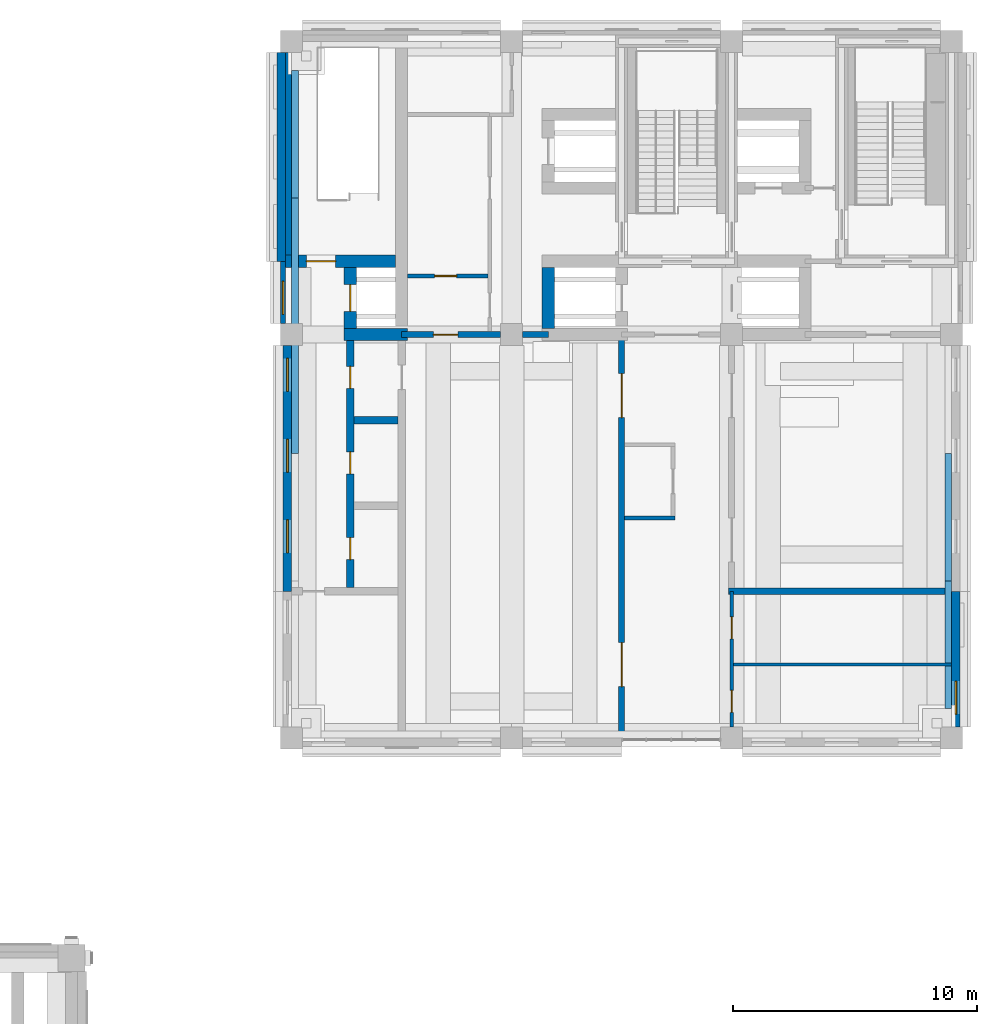
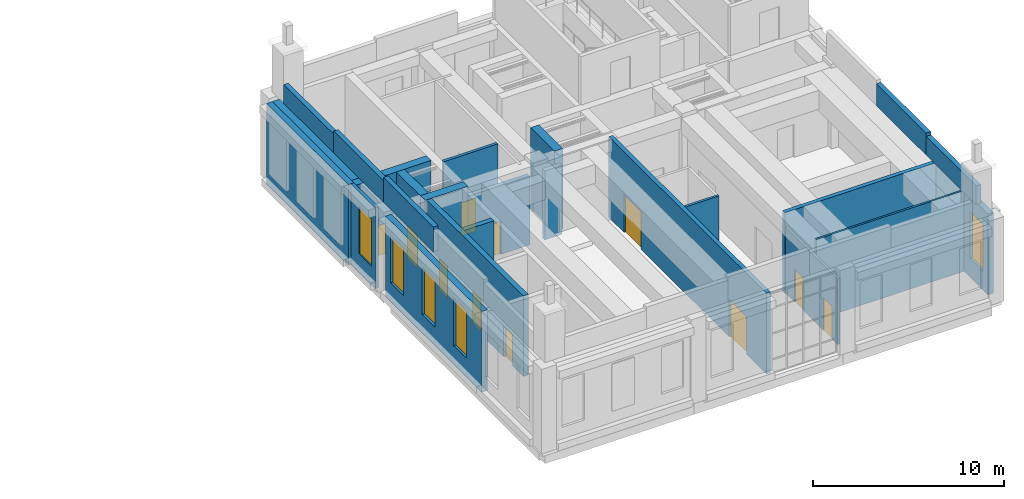
# One storey, part 15 of 22: 24 walls, 11 doors, 5 windows, 16 openings.
"""IFC4 building model written with IfcOpenShell, lengths in metres."""

from ifc_helpers import new_model, si_unit, direction, frame, frame_2d, origin, place, context, subcontext, project, spatial, rectangle, extrude, material, layer, layer_set, type_object, element, fill, save


model = new_model("IFC4")

# Units and contexts
model_context = context("Model", 3, precision=1e-05, world=origin(), true_north=direction((0.0, 1.0)))
body_context = subcontext(model_context, "Body", "Model", "MODEL_VIEW")
ifc_project = project(units=[si_unit("LENGTHUNIT", "METRE"), si_unit("AREAUNIT", "SQUARE_METRE"), si_unit("VOLUMEUNIT", "CUBIC_METRE"), si_unit("PLANEANGLEUNIT", "RADIAN"), si_unit("MASSUNIT", "GRAM", prefix="KILO")], contexts=[model_context])

# Site, building, storey
site_placement = place(None, origin())
site = spatial("IfcSite", under=ifc_project, at=site_placement, CompositionType="ELEMENT")
building_placement = place(site_placement, origin())
building = spatial("IfcBuilding", under=site, at=building_placement, Name="Aurelan Courthouse", CompositionType="ELEMENT")
storey_placement = place(building_placement, frame((0.0, 0.0, 39.0)))
storey = spatial("IfcBuildingStorey", under=building, at=storey_placement, Name="L07", CompositionType="ELEMENT", Elevation=39.0)

# Walls
ifc_material_1 = material(Name="Limestone cladding", Category="masonry")
ifc_layer_1 = layer(ifc_material_1, 0.280029296875)
ifc_layer_set_1 = layer_set([ifc_layer_1], Name="Limestone cladding")
wall_type_1 = type_object("IfcWallType", Name="CR2 crown parapet 280 x 1200", PredefinedType="PARAPET", material=ifc_layer_set_1)
for number, where, z_axis, x_axis, name in (
    (1, (36.139892578125, 59.580078125, 5.39990234375), (0.0, 0.0, 1.0), (0.0, 1.0, 0.0), "Crown parapet CR2-PA15"),
    (2, (62.860107421875, 38.699951171875, 5.39990234375), (0.0, 0.0, 1.0), (0.0, 1.0, 0.0), "Crown parapet CR2-PA16"),
):
    element("IfcWall", number, at=place(storey_placement, frame(where, z_axis=z_axis, x_axis=x_axis)), inside=storey, type_object=wall_type_1, Name=name, PredefinedType="PARAPET", context=body_context, shape_type="SweptSolid", body=[
        extrude(rectangle(XDim=5.219970703125, YDim=0.280029296875, at=frame_2d((2.60986328125, 0.0))), origin(), (0.0, 0.0, 1.0), 1.2001953125),
    ])
ifc_layer_2 = layer(ifc_material_1, 0.280029296875)
ifc_layer_set_2 = layer_set([ifc_layer_2], Name="Limestone cladding")
wall_type_2 = type_object("IfcWallType", Name="CR2 crown parapet 280 x 1400", PredefinedType="PARAPET", material=ifc_layer_set_2)
for number, where, z_axis, x_axis, name in (
    (3, (36.139892578125, 54.360107421875, 5.39990234375), (0.0, 0.0, 1.0), (0.0, 1.0, 0.0), "Crown parapet CR2-PA14"),
    (4, (62.860107421875, 43.919921875, 5.39990234375), (0.0, 0.0, 1.0), (0.0, 1.0, 0.0), "Crown parapet CR2-PA17"),
):
    element("IfcWall", number, at=place(storey_placement, frame(where, z_axis=z_axis, x_axis=x_axis)), inside=storey, type_object=wall_type_2, Name=name, PredefinedType="PARAPET", context=body_context, shape_type="SweptSolid", body=[
        extrude(rectangle(XDim=5.219970703125, YDim=0.280029296875, at=frame_2d((2.60986328125, 0.0))), origin(), (0.0, 0.0, 1.0), 1.400146484375),
    ])
ifc_layer_3 = layer(ifc_material_1, 0.280029296875)
ifc_layer_set_3 = layer_set([ifc_layer_3], Name="Limestone cladding")
wall_type_3 = type_object("IfcWallType", Name="CR2 crown parapet 280 x 1600", PredefinedType="PARAPET", material=ifc_layer_set_3)
wall_1_placement = place(storey_placement, frame((36.139892578125, 49.139892578125, 5.39990234375), z_axis=(0.0, 0.0, 1.0), x_axis=(0.0, 1.0, 0.0)))
element("IfcWall", 5, at=wall_1_placement, inside=storey, type_object=wall_type_3, Name="Crown parapet CR2-PA13", PredefinedType="PARAPET", context=body_context, shape_type="SweptSolid", body=[
    extrude(rectangle(XDim=5.22021484375, YDim=0.280029296875, at=frame_2d((2.610107421875, 0.0))), origin(), (0.0, 0.0, 1.0), 1.60009765625),
])

# Wall, opening, door
ifc_material_2 = material(Name="Gypsum board on metal studs")
ifc_layer_4 = layer(ifc_material_2, 0.175048828125)
ifc_layer_set_4 = layer_set([ifc_layer_4], Name="Gypsum board on metal studs")
wall_type_4 = type_object("IfcWallType", Name="Chambers acoustic partition 175 NOT RATED", PredefinedType="PARTITIONING", material=ifc_layer_set_4)
wall_2_placement = place(storey_placement, frame((40.75, 56.39990234375, 0.0), z_axis=(0.0, 0.0, 1.0), x_axis=(1.0, 0.0, 0.0)))
wall_2 = element("IfcWall", 6, at=wall_2_placement, inside=storey, type_object=wall_type_4, Name="Chambers acoustic partition L07-023", PredefinedType="PARTITIONING", context=body_context, shape_type="SweptSolid", body=[
    extrude(rectangle(XDim=3.27490234375, YDim=0.175048828125, at=frame_2d((1.637451171875, 0.0))), origin(), (0.0, 0.0, 1.0), 5.14990234375),
])
opening_1_placement = place(wall_2_placement, frame((2.0, 0.0, 0.0), z_axis=(0.0, 0.0, 1.0), x_axis=(-1.0, 0.0, 0.0)))
opening_1 = element("IfcOpeningElement", 7, at=opening_1_placement, cuts=wall_2, Name="Opening D-L07-027", PredefinedType="OPENING", context=body_context, shape_type="SweptSolid", body=[
    extrude(rectangle(XDim=0.89990234375, YDim=2.10009765625, at=frame_2d((0.449951171875, 1.050048828125))), frame((0.0, 0.097412109375, 0.0), z_axis=(0.0, -1.0, 0.0), x_axis=(1.0, 0.0, 0.0)), (0.0, 0.0, 1.0), 0.195068359375),
])
ifc_material_3 = material(Name="Timber", Category="wood")
door_type_1 = type_object("IfcDoorType", Name="Single door 900 x 2100 NOT RATED", OperationType="SINGLE_SWING_LEFT", PredefinedType="DOOR", material=ifc_material_3)
door_1_placement = place(opening_1_placement, origin())
door_1 = element("IfcDoor", 8, at=door_1_placement, inside=storey, type_object=door_type_1, Name="Single door D-L07-027", OperationType="SINGLE_SWING_LEFT", OverallHeight=2.10009765625, OverallWidth=0.89990234375, PredefinedType="DOOR", context=body_context, shape_type="SweptSolid", body=[
    extrude(rectangle(XDim=0.89990234375, YDim=2.10009765625, at=frame_2d((0.449951171875, 1.050048828125))), frame((0.0, 0.02490234375, 0.0), z_axis=(0.0, -1.0, 0.0), x_axis=(1.0, 0.0, 0.0)), (0.0, 0.0, 1.0), 0.050048828125),
])
fill(opening_1, door_1)

# Wall
ifc_layer_5 = layer(ifc_material_2, 0.14990234375)
ifc_layer_set_5 = layer_set([ifc_layer_5], Name="Gypsum board on metal studs")
wall_type_5 = type_object("IfcWallType", Name="Corridor partition 150 EI 60", PredefinedType="PARTITIONING", material=ifc_layer_set_5)
wall_3_placement = place(storey_placement, frame((49.625, 46.5, 0.0), z_axis=(0.0, 0.0, 1.0), x_axis=(1.0, 0.0, 0.0)))
element("IfcWall", 9, at=wall_3_placement, inside=storey, type_object=wall_type_5, Name="Corridor partition L07-015", PredefinedType="PARTITIONING", context=body_context, shape_type="SweptSolid", body=[
    extrude(rectangle(XDim=2.050048828125, YDim=0.14990234375, at=frame_2d((1.02490234375, 0.0))), origin(), (0.0, 0.0, 1.0), 5.14990234375),
])

# Wall, openings, doors
wall_4_placement = place(storey_placement, frame((54.0, 37.949951171875, 0.0), z_axis=(0.0, 0.0, 1.0), x_axis=(0.0, 1.0, 0.0)))
wall_4 = element("IfcWall", 10, at=wall_4_placement, inside=storey, type_object=wall_type_5, Name="Corridor partition L07-042", PredefinedType="PARTITIONING", context=body_context, shape_type="SweptSolid", body=[
    extrude(rectangle(XDim=5.550048828125, YDim=0.14990234375, at=frame_2d((2.77490234375, 0.0))), origin(), (0.0, 0.0, 1.0), 4.199951171875),
])
opening_2_placement = place(wall_4_placement, frame((4.5, 0.0, 0.0), z_axis=(0.0, 0.0, 1.0), x_axis=(-1.0, 0.0, 0.0)))
opening_2 = element("IfcOpeningElement", 11, at=opening_2_placement, cuts=wall_4, Name="Opening D-L07-021", PredefinedType="OPENING", context=body_context, shape_type="SweptSolid", body=[
    extrude(rectangle(XDim=0.89990234375, YDim=2.10009765625, at=frame_2d((0.449951171875, 1.050048828125))), frame((0.0, 0.0849609375, 0.0), z_axis=(0.0, -1.0, 0.0), x_axis=(1.0, 0.0, 0.0)), (0.0, 0.0, 1.0), 0.169921875),
])
opening_3_placement = place(wall_4_placement, frame((1.5, 0.0, 0.0), z_axis=(0.0, 0.0, 1.0), x_axis=(-1.0, 0.0, 0.0)))
opening_3 = element("IfcOpeningElement", 12, at=opening_3_placement, cuts=wall_4, Name="Opening D-L07-022", PredefinedType="OPENING", context=body_context, shape_type="SweptSolid", body=[
    extrude(rectangle(XDim=0.89990234375, YDim=2.10009765625, at=frame_2d((0.449951171875, 1.050048828125))), frame((0.0, 0.0849609375, 0.0), z_axis=(0.0, -1.0, 0.0), x_axis=(1.0, 0.0, 0.0)), (0.0, 0.0, 1.0), 0.169921875),
])
ifc_material_4 = material(Name="Steel", Category="steel")
door_type_2 = type_object("IfcDoorType", Name="Single door 900 x 2100 FD60", OperationType="SINGLE_SWING_LEFT", PredefinedType="DOOR", material=ifc_material_4)
door_2_placement = place(opening_2_placement, origin())
door_2 = element("IfcDoor", 13, at=door_2_placement, inside=storey, type_object=door_type_2, Name="Single door D-L07-021", OperationType="SINGLE_SWING_LEFT", OverallHeight=2.10009765625, OverallWidth=0.89990234375, PredefinedType="DOOR", context=body_context, shape_type="SweptSolid", body=[
    extrude(rectangle(XDim=0.89990234375, YDim=2.10009765625, at=frame_2d((0.449951171875, 1.050048828125))), frame((0.0, 0.02490234375, 0.0), z_axis=(0.0, -1.0, 0.0), x_axis=(1.0, 0.0, 0.0)), (0.0, 0.0, 1.0), 0.050048828125),
])
fill(opening_2, door_2)
door_3_placement = place(opening_3_placement, origin())
door_3 = element("IfcDoor", 14, at=door_3_placement, inside=storey, type_object=door_type_2, Name="Single door D-L07-022", OperationType="SINGLE_SWING_LEFT", OverallHeight=2.10009765625, OverallWidth=0.89990234375, PredefinedType="DOOR", context=body_context, shape_type="SweptSolid", body=[
    extrude(rectangle(XDim=0.89990234375, YDim=2.10009765625, at=frame_2d((0.449951171875, 1.050048828125))), frame((0.0, 0.02490234375, 0.0), z_axis=(0.0, -1.0, 0.0), x_axis=(1.0, 0.0, 0.0)), (0.0, 0.0, 1.0), 0.050048828125),
])
fill(opening_3, door_3)

# Wall, opening, window
ifc_layer_6 = layer(ifc_material_1, 0.054931640625, Name="Facing")
ifc_material_5 = material(Name="Ventilated cavity")
ifc_layer_7 = layer(ifc_material_5, 0.02490234375, ventilated=True, Name="Ventilated cavity")
ifc_material_6 = material(Name="Mineral wool insulation")
ifc_layer_8 = layer(ifc_material_6, 0.030029296875, Name="Insulation")
ifc_material_7 = material(Name="Concrete C30", Category="concrete")
ifc_layer_9 = layer(ifc_material_7, 0.090087890625, Name="Structure")
ifc_layer_set_6 = layer_set([ifc_layer_6, ifc_layer_7, ifc_layer_8, ifc_layer_9], Name="Concrete C30")
wall_type_6 = type_object("IfcWallType", Name="Courtroom Block stone-faced wall 200", PredefinedType="SOLIDWALL", material=ifc_layer_set_6)
wall_5_placement = place(storey_placement, frame((35.64990234375, 54.449951171875, 0.0), z_axis=(0.0, 0.0, 1.0), x_axis=(0.0, 1.0, 0.0)))
wall_5 = element("IfcWall", 15, at=wall_5_placement, inside=storey, type_object=wall_type_6, Name="Facade wall FW-V2-L07-013", PredefinedType="SOLIDWALL", context=body_context, shape_type="SweptSolid", body=[
    extrude(rectangle(XDim=2.550048828125, YDim=0.199951171875, at=frame_2d((1.27490234375, 0.0))), origin(), (0.0, 0.0, 1.0), 5.14990234375),
])
opening_4_placement = place(wall_5_placement, frame((0.375, 0.0, 1.199951171875)))
opening_4 = element("IfcOpeningElement", 16, at=opening_4_placement, cuts=wall_5, Name="Opening WN-V2-L07-019", PredefinedType="OPENING", context=body_context, shape_type="SweptSolid", body=[
    extrude(rectangle(XDim=1.35009765625, YDim=3.0, at=frame_2d((0.675048828125, 1.5))), frame((0.0, 0.10986328125, 0.0), z_axis=(0.0, -1.0, 0.0), x_axis=(1.0, 0.0, 0.0)), (0.0, 0.0, 1.0), 0.219970703125),
])
ifc_material_8 = material(Name="Bronze-finished aluminium and glass", Category="aluminium")
window_type = type_object("IfcWindowType", Name="Courtroom Block glazed slot 1350 x 3000, sill 1200", PartitioningType="SINGLE_PANEL", PredefinedType="WINDOW", material=ifc_material_8)
window_1_placement = place(opening_4_placement, origin())
window_1 = element("IfcWindow", 17, at=window_1_placement, inside=storey, type_object=window_type, Name="Glazed slot WN-V2-L07-019", OverallHeight=3.0, OverallWidth=1.35009765625, PartitioningType="SINGLE_PANEL", PredefinedType="WINDOW", context=body_context, shape_type="SweptSolid", body=[
    extrude(rectangle(XDim=1.35009765625, YDim=3.0, at=frame_2d((0.675048828125, 1.5))), frame((0.0, 0.030029296875, 0.0), z_axis=(0.0, -1.0, 0.0), x_axis=(1.0, 0.0, 0.0)), (0.0, 0.0, 1.0), 0.06005859375),
])
fill(opening_4, window_1)

ifc_layer_10 = layer(ifc_material_1, 0.10009765625, Name="Facing")
ifc_layer_11 = layer(ifc_material_5, 0.02490234375, ventilated=True, Name="Ventilated cavity")
ifc_layer_12 = layer(ifc_material_6, 0.050048828125, Name="Insulation")
ifc_layer_13 = layer(ifc_material_7, 0.175048828125, Name="Structure")
ifc_layer_set_7 = layer_set([ifc_layer_10, ifc_layer_11, ifc_layer_12, ifc_layer_13], Name="Concrete C30")
wall_type_7 = type_object("IfcWallType", Name="Courtroom Block stone-faced wall 350", PredefinedType="SOLIDWALL", material=ifc_layer_set_7)
wall_6_placement = place(storey_placement, frame((63.175048828125, 37.949951171875, 0.0), z_axis=(0.0, 0.0, 1.0), x_axis=(0.0, 1.0, 0.0)))
wall_6 = element("IfcWall", 18, at=wall_6_placement, inside=storey, type_object=wall_type_7, Name="Facade wall FW-V2-L07-007", PredefinedType="SOLIDWALL", context=body_context, shape_type="SweptSolid", body=[
    extrude(rectangle(XDim=5.550048828125, YDim=0.35009765625, at=frame_2d((2.77490234375, 0.0))), origin(), (0.0, 0.0, 1.0), 5.14990234375),
])
opening_5_placement = place(wall_6_placement, frame((0.52490234375, 0.0, 1.199951171875)))
opening_5 = element("IfcOpeningElement", 19, at=opening_5_placement, cuts=wall_6, Name="Opening WN-V2-L07-009", PredefinedType="OPENING", context=body_context, shape_type="SweptSolid", body=[
    extrude(rectangle(XDim=1.35009765625, YDim=3.0, at=frame_2d((0.675048828125, 1.5))), frame((0.0, 0.18505859375, 0.0), z_axis=(0.0, -1.0, 0.0), x_axis=(1.0, 0.0, 0.0)), (0.0, 0.0, 1.0), 0.3701171875),
])
window_2_placement = place(opening_5_placement, origin())
window_2 = element("IfcWindow", 20, at=window_2_placement, inside=storey, type_object=window_type, Name="Glazed slot WN-V2-L07-009", OverallHeight=3.0, OverallWidth=1.35009765625, PartitioningType="SINGLE_PANEL", PredefinedType="WINDOW", context=body_context, shape_type="SweptSolid", body=[
    extrude(rectangle(XDim=1.35009765625, YDim=3.0, at=frame_2d((0.675048828125, 1.5))), frame((0.0, 0.030029296875, 0.0), z_axis=(0.0, -1.0, 0.0), x_axis=(1.0, 0.0, 0.0)), (0.0, 0.0, 1.0), 0.06005859375),
])
fill(opening_5, window_2)

# Wall, openings, windows
wall_7_placement = place(storey_placement, frame((35.824951171875, 43.5, 0.0), z_axis=(0.0, 0.0, 1.0), x_axis=(0.0, 1.0, 0.0)))
wall_7 = element("IfcWall", 21, at=wall_7_placement, inside=storey, type_object=wall_type_7, Name="Facade wall FW-V2-L07-012", PredefinedType="SOLIDWALL", context=body_context, shape_type="SweptSolid", body=[
    extrude(rectangle(XDim=10.050048828125, YDim=0.35009765625, at=frame_2d((5.02490234375, 0.0))), origin(), (0.0, 0.0, 1.0), 5.14990234375),
])
opening_6_placement = place(wall_7_placement, frame((1.574951171875, 0.0, 1.199951171875)))
opening_6 = element("IfcOpeningElement", 22, at=opening_6_placement, cuts=wall_7, Name="Opening WN-V2-L07-016", PredefinedType="OPENING", context=body_context, shape_type="SweptSolid", body=[
    extrude(rectangle(XDim=1.35009765625, YDim=3.0, at=frame_2d((0.675048828125, 1.5))), frame((0.0, 0.18505859375, 0.0), z_axis=(0.0, -1.0, 0.0), x_axis=(1.0, 0.0, 0.0)), (0.0, 0.0, 1.0), 0.3701171875),
])
opening_7_placement = place(wall_7_placement, frame((4.875, 0.0, 1.199951171875)))
opening_7 = element("IfcOpeningElement", 23, at=opening_7_placement, cuts=wall_7, Name="Opening WN-V2-L07-017", PredefinedType="OPENING", context=body_context, shape_type="SweptSolid", body=[
    extrude(rectangle(XDim=1.35009765625, YDim=3.0, at=frame_2d((0.675048828125, 1.5))), frame((0.0, 0.18505859375, 0.0), z_axis=(0.0, -1.0, 0.0), x_axis=(1.0, 0.0, 0.0)), (0.0, 0.0, 1.0), 0.3701171875),
])
opening_8_placement = place(wall_7_placement, frame((8.175048828125, 0.0, 1.199951171875)))
opening_8 = element("IfcOpeningElement", 24, at=opening_8_placement, cuts=wall_7, Name="Opening WN-V2-L07-018", PredefinedType="OPENING", context=body_context, shape_type="SweptSolid", body=[
    extrude(rectangle(XDim=1.35009765625, YDim=3.0, at=frame_2d((0.675048828125, 1.5))), frame((0.0, 0.18505859375, 0.0), z_axis=(0.0, -1.0, 0.0), x_axis=(1.0, 0.0, 0.0)), (0.0, 0.0, 1.0), 0.3701171875),
])
window_3_placement = place(opening_6_placement, origin())
window_3 = element("IfcWindow", 25, at=window_3_placement, inside=storey, type_object=window_type, Name="Glazed slot WN-V2-L07-016", OverallHeight=3.0, OverallWidth=1.35009765625, PartitioningType="SINGLE_PANEL", PredefinedType="WINDOW", context=body_context, shape_type="SweptSolid", body=[
    extrude(rectangle(XDim=1.35009765625, YDim=3.0, at=frame_2d((0.675048828125, 1.5))), frame((0.0, 0.030029296875, 0.0), z_axis=(0.0, -1.0, 0.0), x_axis=(1.0, 0.0, 0.0)), (0.0, 0.0, 1.0), 0.06005859375),
])
fill(opening_6, window_3)
window_4_placement = place(opening_7_placement, origin())
window_4 = element("IfcWindow", 26, at=window_4_placement, inside=storey, type_object=window_type, Name="Glazed slot WN-V2-L07-017", OverallHeight=3.0, OverallWidth=1.35009765625, PartitioningType="SINGLE_PANEL", PredefinedType="WINDOW", context=body_context, shape_type="SweptSolid", body=[
    extrude(rectangle(XDim=1.35009765625, YDim=3.0, at=frame_2d((0.675048828125, 1.5))), frame((0.0, 0.030029296875, 0.0), z_axis=(0.0, -1.0, 0.0), x_axis=(1.0, 0.0, 0.0)), (0.0, 0.0, 1.0), 0.06005859375),
])
fill(opening_7, window_4)
window_5_placement = place(opening_8_placement, origin())
window_5 = element("IfcWindow", 27, at=window_5_placement, inside=storey, type_object=window_type, Name="Glazed slot WN-V2-L07-018", OverallHeight=3.0, OverallWidth=1.35009765625, PartitioningType="SINGLE_PANEL", PredefinedType="WINDOW", context=body_context, shape_type="SweptSolid", body=[
    extrude(rectangle(XDim=1.35009765625, YDim=3.0, at=frame_2d((0.675048828125, 1.5))), frame((0.0, 0.030029296875, 0.0), z_axis=(0.0, -1.0, 0.0), x_axis=(1.0, 0.0, 0.0)), (0.0, 0.0, 1.0), 0.06005859375),
])
fill(opening_8, window_5)

# Walls
wall_8_placement = place(storey_placement, frame((35.574951171875, 57.0, 0.0), z_axis=(0.0, 0.0, 1.0), x_axis=(0.0, 1.0, 0.0)))
element("IfcWall", 28, at=wall_8_placement, inside=storey, type_object=wall_type_7, Name="Facade wall FW-V2-L07-014", PredefinedType="SOLIDWALL", context=body_context, shape_type="SweptSolid", body=[
    extrude(rectangle(XDim=8.550048828125, YDim=0.35009765625, at=frame_2d((4.27490234375, 0.0))), origin(), (0.0, 0.0, 1.0), 5.14990234375),
])
ifc_material_9 = material(Name="Masonry block", Category="masonry")
ifc_layer_14 = layer(ifc_material_9, 0.25)
ifc_layer_set_8 = layer_set([ifc_layer_14], Name="Masonry block")
wall_type_8 = type_object("IfcWallType", Name="Courtroom wall 250 EI 60", PredefinedType="PARTITIONING", material=ifc_layer_set_8)
wall_9_placement = place(storey_placement, frame((53.875, 43.5, 0.0), z_axis=(0.0, 0.0, 1.0), x_axis=(1.0, 0.0, 0.0)))
element("IfcWall", 29, at=wall_9_placement, inside=storey, type_object=wall_type_8, Name="Courtroom wall L07-014", PredefinedType="PARTITIONING", context=body_context, shape_type="SweptSolid", body=[
    extrude(rectangle(XDim=9.125, YDim=0.25, at=frame_2d((4.5625, 0.0))), origin(), (0.0, 0.0, 1.0), 5.14990234375),
])

# Wall, opening, door
wall_10_placement = place(storey_placement, frame((40.5, 54.0, 0.0), z_axis=(0.0, 0.0, 1.0), x_axis=(1.0, 0.0, 0.0)))
wall_10 = element("IfcWall", 30, at=wall_10_placement, inside=storey, type_object=wall_type_8, Name="Courtroom wall L07-019", PredefinedType="PARTITIONING", context=body_context, shape_type="SweptSolid", body=[
    extrude(rectangle(XDim=4.050048828125, YDim=0.25, at=frame_2d((2.02490234375, 0.0))), origin(), (0.0, 0.0, 1.0), 4.39990234375),
])
opening_9_placement = place(wall_10_placement, frame((1.300048828125, 0.0, 0.0)))
opening_9 = element("IfcOpeningElement", 31, at=opening_9_placement, cuts=wall_10, Name="Opening D-L07-029", PredefinedType="OPENING", context=body_context, shape_type="SweptSolid", body=[
    extrude(rectangle(XDim=1.0, YDim=2.10009765625, at=frame_2d((0.5, 1.050048828125))), frame((0.0, 0.135009765625, 0.0), z_axis=(0.0, -1.0, 0.0), x_axis=(1.0, 0.0, 0.0)), (0.0, 0.0, 1.0), 0.27001953125),
])
door_type_3 = type_object("IfcDoorType", Name="Single door 1000 x 2100 FD30", OperationType="SINGLE_SWING_LEFT", PredefinedType="DOOR", material=ifc_material_4)
door_4_placement = place(opening_9_placement, origin())
door_4 = element("IfcDoor", 32, at=door_4_placement, inside=storey, type_object=door_type_3, Name="Single door D-L07-029", OperationType="SINGLE_SWING_RIGHT", OverallHeight=2.10009765625, OverallWidth=1.0, PredefinedType="DOOR", context=body_context, shape_type="SweptSolid", body=[
    extrude(rectangle(XDim=1.0, YDim=2.10009765625, at=frame_2d((0.5, 1.050048828125))), frame((0.0, 0.02490234375, 0.0), z_axis=(0.0, -1.0, 0.0), x_axis=(1.0, 0.0, 0.0)), (0.0, 0.0, 1.0), 0.050048828125),
])
fill(opening_9, door_4)

# Wall
wall_11_placement = place(storey_placement, frame((45.449951171875, 54.0, 0.0), z_axis=(0.0, 0.0, 1.0), x_axis=(1.0, 0.0, 0.0)))
element("IfcWall", 33, at=wall_11_placement, inside=storey, type_object=wall_type_8, Name="Courtroom wall L07-020", PredefinedType="PARTITIONING", context=body_context, shape_type="SweptSolid", body=[
    extrude(rectangle(XDim=1.050048828125, YDim=0.25, at=frame_2d((0.52490234375, 0.0))), origin(), (0.0, 0.0, 1.0), 4.39990234375),
])

# Wall, openings, doors
wall_12_placement = place(storey_placement, frame((49.5, 37.5, 0.0), z_axis=(0.0, 0.0, 1.0), x_axis=(0.0, 1.0, 0.0)))
wall_12 = element("IfcWall", 34, at=wall_12_placement, inside=storey, type_object=wall_type_8, Name="Courtroom wall L07-040", PredefinedType="PARTITIONING", context=body_context, shape_type="SweptSolid", body=[
    extrude(rectangle(XDim=16.5, YDim=0.25, at=frame_2d((8.25, 0.0))), origin(), (0.0, 0.0, 1.0), 5.14990234375),
])
opening_10_placement = place(wall_12_placement, frame((3.900146484375, 0.0, 0.0), z_axis=(0.0, 0.0, 1.0), x_axis=(-1.0, 0.0, 0.0)))
opening_10 = element("IfcOpeningElement", 35, at=opening_10_placement, cuts=wall_12, Name="Opening D-L07-014", PredefinedType="OPENING", context=body_context, shape_type="SweptSolid", body=[
    extrude(rectangle(XDim=1.800048828125, YDim=2.39990234375, at=frame_2d((0.89990234375, 1.199951171875))), frame((0.0, 0.135009765625, 0.0), z_axis=(0.0, -1.0, 0.0), x_axis=(1.0, 0.0, 0.0)), (0.0, 0.0, 1.0), 0.27001953125),
])
opening_11_placement = place(wall_12_placement, frame((14.900146484375, 0.0, 0.0), z_axis=(0.0, 0.0, 1.0), x_axis=(-1.0, 0.0, 0.0)))
opening_11 = element("IfcOpeningElement", 36, at=opening_11_placement, cuts=wall_12, Name="Opening D-L07-015", PredefinedType="OPENING", context=body_context, shape_type="SweptSolid", body=[
    extrude(rectangle(XDim=1.800048828125, YDim=2.39990234375, at=frame_2d((0.89990234375, 1.199951171875))), frame((0.0, 0.135009765625, 0.0), z_axis=(0.0, -1.0, 0.0), x_axis=(1.0, 0.0, 0.0)), (0.0, 0.0, 1.0), 0.27001953125),
])
door_type_4 = type_object("IfcDoorType", Name="Double door 1800 x 2400 FD30", OperationType="DOUBLE_DOOR_SINGLE_SWING", PredefinedType="DOOR", material=ifc_material_4)
door_5_placement = place(opening_10_placement, origin())
door_5 = element("IfcDoor", 37, at=door_5_placement, inside=storey, type_object=door_type_4, Name="Double door D-L07-014", OperationType="DOUBLE_DOOR_SINGLE_SWING", OverallHeight=2.39990234375, OverallWidth=1.800048828125, PredefinedType="DOOR", context=body_context, shape_type="SweptSolid", body=[
    extrude(rectangle(XDim=1.800048828125, YDim=2.39990234375, at=frame_2d((0.89990234375, 1.199951171875))), frame((0.0, 0.02490234375, 0.0), z_axis=(0.0, -1.0, 0.0), x_axis=(1.0, 0.0, 0.0)), (0.0, 0.0, 1.0), 0.050048828125),
])
fill(opening_10, door_5)
door_6_placement = place(opening_11_placement, origin())
door_6 = element("IfcDoor", 38, at=door_6_placement, inside=storey, type_object=door_type_4, Name="Double door D-L07-015", OperationType="DOUBLE_DOOR_SINGLE_SWING", OverallHeight=2.39990234375, OverallWidth=1.800048828125, PredefinedType="DOOR", context=body_context, shape_type="SweptSolid", body=[
    extrude(rectangle(XDim=1.800048828125, YDim=2.39990234375, at=frame_2d((0.89990234375, 1.199951171875))), frame((0.0, 0.02490234375, 0.0), z_axis=(0.0, -1.0, 0.0), x_axis=(1.0, 0.0, 0.0)), (0.0, 0.0, 1.0), 0.050048828125),
])
fill(opening_11, door_6)

# Wall
ifc_layer_15 = layer(ifc_material_7, 0.300048828125)
ifc_layer_set_9 = layer_set([ifc_layer_15], Name="Concrete C30")
wall_type_9 = type_object("IfcWallType", Name="Custody wall 300 EI 120", PredefinedType="PARTITIONING", material=ifc_layer_set_9)
wall_13_placement = place(storey_placement, frame((38.550048828125, 50.5, 0.0), z_axis=(0.0, 0.0, 1.0), x_axis=(1.0, 0.0, 0.0)))
element("IfcWall", 39, at=wall_13_placement, inside=storey, type_object=wall_type_9, Name="Custody wall L07-018", PredefinedType="PARTITIONING", context=body_context, shape_type="SweptSolid", body=[
    extrude(rectangle(XDim=1.800048828125, YDim=0.300048828125, at=frame_2d((0.89990234375, 0.0))), origin(), (0.0, 0.0, 1.0), 5.14990234375),
])

# Wall, openings, doors
wall_14_placement = place(storey_placement, frame((38.39990234375, 43.64990234375, 0.0), z_axis=(0.0, 0.0, 1.0), x_axis=(0.0, 1.0, 0.0)))
wall_14 = element("IfcWall", 40, at=wall_14_placement, inside=storey, type_object=wall_type_9, Name="Custody wall L07-036", PredefinedType="PARTITIONING", context=body_context, shape_type="SweptSolid", body=[
    extrude(rectangle(XDim=10.35009765625, YDim=0.300048828125, at=frame_2d((5.175048828125, 0.0))), origin(), (0.0, 0.0, 1.0), 5.14990234375),
])
opening_12_placement = place(wall_14_placement, frame((2.0498046875, 0.0, 0.0), z_axis=(0.0, 0.0, 1.0), x_axis=(-1.0, 0.0, 0.0)))
opening_12 = element("IfcOpeningElement", 41, at=opening_12_placement, cuts=wall_14, Name="Opening D-L07-017", PredefinedType="OPENING", context=body_context, shape_type="SweptSolid", body=[
    extrude(rectangle(XDim=0.89990234375, YDim=2.0, at=frame_2d((0.449951171875, 1.0))), frame((0.0, 0.159912109375, 0.0), z_axis=(0.0, -1.0, 0.0), x_axis=(1.0, 0.0, 0.0)), (0.0, 0.0, 1.0), 0.320068359375),
])
opening_13_placement = place(wall_14_placement, frame((5.5498046875, 0.0, 0.0), z_axis=(0.0, 0.0, 1.0), x_axis=(-1.0, 0.0, 0.0)))
opening_13 = element("IfcOpeningElement", 42, at=opening_13_placement, cuts=wall_14, Name="Opening D-L07-018", PredefinedType="OPENING", context=body_context, shape_type="SweptSolid", body=[
    extrude(rectangle(XDim=0.89990234375, YDim=2.0, at=frame_2d((0.449951171875, 1.0))), frame((0.0, 0.159912109375, 0.0), z_axis=(0.0, -1.0, 0.0), x_axis=(1.0, 0.0, 0.0)), (0.0, 0.0, 1.0), 0.320068359375),
])
opening_14_placement = place(wall_14_placement, frame((9.0498046875, 0.0, 0.0), z_axis=(0.0, 0.0, 1.0), x_axis=(-1.0, 0.0, 0.0)))
opening_14 = element("IfcOpeningElement", 43, at=opening_14_placement, cuts=wall_14, Name="Opening D-L07-019", PredefinedType="OPENING", context=body_context, shape_type="SweptSolid", body=[
    extrude(rectangle(XDim=0.89990234375, YDim=2.0, at=frame_2d((0.449951171875, 1.0))), frame((0.0, 0.159912109375, 0.0), z_axis=(0.0, -1.0, 0.0), x_axis=(1.0, 0.0, 0.0)), (0.0, 0.0, 1.0), 0.320068359375),
])
door_type_5 = type_object("IfcDoorType", Name="Single door 900 x 2000 FD90", OperationType="SINGLE_SWING_LEFT", PredefinedType="DOOR", material=ifc_material_4)
door_7_placement = place(opening_12_placement, origin())
door_7 = element("IfcDoor", 44, at=door_7_placement, inside=storey, type_object=door_type_5, Name="Single door D-L07-017", OperationType="SINGLE_SWING_LEFT", OverallHeight=2.0, OverallWidth=0.89990234375, PredefinedType="DOOR", context=body_context, shape_type="SweptSolid", body=[
    extrude(rectangle(XDim=0.89990234375, YDim=2.0, at=frame_2d((0.449951171875, 1.0))), frame((0.0, 0.02490234375, 0.0), z_axis=(0.0, -1.0, 0.0), x_axis=(1.0, 0.0, 0.0)), (0.0, 0.0, 1.0), 0.050048828125),
])
fill(opening_12, door_7)
door_8_placement = place(opening_13_placement, origin())
door_8 = element("IfcDoor", 45, at=door_8_placement, inside=storey, type_object=door_type_5, Name="Single door D-L07-018", OperationType="SINGLE_SWING_RIGHT", OverallHeight=2.0, OverallWidth=0.89990234375, PredefinedType="DOOR", context=body_context, shape_type="SweptSolid", body=[
    extrude(rectangle(XDim=0.89990234375, YDim=2.0, at=frame_2d((0.449951171875, 1.0))), frame((0.0, 0.02490234375, 0.0), z_axis=(0.0, -1.0, 0.0), x_axis=(1.0, 0.0, 0.0)), (0.0, 0.0, 1.0), 0.050048828125),
])
fill(opening_13, door_8)
door_9_placement = place(opening_14_placement, origin())
door_9 = element("IfcDoor", 46, at=door_9_placement, inside=storey, type_object=door_type_5, Name="Single door D-L07-019", OperationType="SINGLE_SWING_LEFT", OverallHeight=2.0, OverallWidth=0.89990234375, PredefinedType="DOOR", context=body_context, shape_type="SweptSolid", body=[
    extrude(rectangle(XDim=0.89990234375, YDim=2.0, at=frame_2d((0.449951171875, 1.0))), frame((0.0, 0.02490234375, 0.0), z_axis=(0.0, -1.0, 0.0), x_axis=(1.0, 0.0, 0.0)), (0.0, 0.0, 1.0), 0.050048828125),
])
fill(opening_14, door_9)

# Wall
ifc_material_10 = material(Name="Concrete C50", Category="concrete")
ifc_layer_16 = layer(ifc_material_10, 0.5)
ifc_layer_set_10 = layer_set([ifc_layer_16], Name="Concrete C50")
wall_type_10 = type_object("IfcWallType", Name="RC shear wall 500", PredefinedType="SHEAR", material=ifc_layer_set_10)
wall_15_placement = place(storey_placement, frame((38.14990234375, 54.0, 0.0), z_axis=(0.0, 0.0, 1.0), x_axis=(1.0, 0.0, 0.0)))
element("IfcWall", 47, at=wall_15_placement, inside=storey, type_object=wall_type_10, Name="Core wall SW-L07-016", PredefinedType="SHEAR", context=body_context, shape_type="SweptSolid", body=[
    extrude(rectangle(XDim=2.60009765625, YDim=0.5, at=frame_2d((1.300048828125, 0.0))), origin(), (0.0, 0.0, 1.0), 5.14990234375),
])

# Wall, opening, door
wall_16_placement = place(storey_placement, frame((38.39990234375, 54.25, 0.0), z_axis=(0.0, 0.0, 1.0), x_axis=(0.0, 1.0, 0.0)))
wall_16 = element("IfcWall", 48, at=wall_16_placement, inside=storey, type_object=wall_type_10, Name="Core wall SW-L07-019", PredefinedType="SHEAR", context=body_context, shape_type="SweptSolid", body=[
    extrude(rectangle(XDim=2.5, YDim=0.5, at=frame_2d((1.25, 0.0))), origin(), (0.0, 0.0, 1.0), 5.14990234375),
])
opening_15_placement = place(wall_16_placement, frame((0.699951171875, 0.0, 0.0)))
opening_15 = element("IfcOpeningElement", 49, at=opening_15_placement, cuts=wall_16, Name="Opening LD-V2-C1-L07", PredefinedType="OPENING", context=body_context, shape_type="SweptSolid", body=[
    extrude(rectangle(XDim=1.10009765625, YDim=2.10009765625, at=frame_2d((0.550048828125, 1.050048828125))), frame((0.0, 0.260009765625, 0.0), z_axis=(0.0, -1.0, 0.0), x_axis=(1.0, 0.0, 0.0)), (0.0, 0.0, 1.0), 0.52001953125),
])
door_type_6 = type_object("IfcDoorType", Name="Lift landing door 1100 x 2100 FD90", OperationType="SLIDING_TO_LEFT", PredefinedType="DOOR", material=ifc_material_4)
door_10_placement = place(opening_15_placement, origin())
door_10 = element("IfcDoor", 50, at=door_10_placement, inside=storey, type_object=door_type_6, Name="Lift landing door LD-V2-C1-L07", OperationType="SLIDING_TO_LEFT", OverallHeight=2.10009765625, OverallWidth=1.10009765625, PredefinedType="DOOR", context=body_context, shape_type="SweptSolid", body=[
    extrude(rectangle(XDim=1.10009765625, YDim=2.10009765625, at=frame_2d((0.550048828125, 1.050048828125))), frame((0.0, 0.02490234375, 0.0), z_axis=(0.0, -1.0, 0.0), x_axis=(1.0, 0.0, 0.0)), (0.0, 0.0, 1.0), 0.050048828125),
])
fill(opening_15, door_10)

# Wall
wall_17_placement = place(storey_placement, frame((46.5, 54.25, 0.0), z_axis=(0.0, 0.0, 1.0), x_axis=(0.0, 1.0, 0.0)))
element("IfcWall", 51, at=wall_17_placement, inside=storey, type_object=wall_type_10, Name="Core wall SW-L07-021", PredefinedType="SHEAR", context=body_context, shape_type="SweptSolid", body=[
    extrude(rectangle(XDim=2.5, YDim=0.5, at=frame_2d((1.25, 0.0))), origin(), (0.0, 0.0, 1.0), 5.14990234375),
])

# Wall, opening, door
wall_18_placement = place(storey_placement, frame((35.75, 57.0, 0.0), z_axis=(0.0, 0.0, 1.0), x_axis=(1.0, 0.0, 0.0)))
wall_18 = element("IfcWall", 52, at=wall_18_placement, inside=storey, type_object=wall_type_10, Name="Core wall SW-L07-025", PredefinedType="SHEAR", context=body_context, shape_type="SweptSolid", body=[
    extrude(rectangle(XDim=4.5, YDim=0.5, at=frame_2d((2.25, 0.0))), origin(), (0.0, 0.0, 1.0), 5.14990234375),
])
opening_16_placement = place(wall_18_placement, frame((0.85009765625, 0.0, 0.0)))
opening_16 = element("IfcOpeningElement", 53, at=opening_16_placement, cuts=wall_18, Name="Opening D-L07-002", PredefinedType="OPENING", context=body_context, shape_type="SweptSolid", body=[
    extrude(rectangle(XDim=1.199951171875, YDim=2.10009765625, at=frame_2d((0.60009765625, 1.050048828125))), frame((0.0, 0.260009765625, 0.0), z_axis=(0.0, -1.0, 0.0), x_axis=(1.0, 0.0, 0.0)), (0.0, 0.0, 1.0), 0.52001953125),
])
door_type_7 = type_object("IfcDoorType", Name="Single door 1200 x 2100 FD90", OperationType="SINGLE_SWING_LEFT", PredefinedType="DOOR", material=ifc_material_4)
door_11_placement = place(opening_16_placement, origin())
door_11 = element("IfcDoor", 54, at=door_11_placement, inside=storey, type_object=door_type_7, Name="Single door D-L07-002", OperationType="SINGLE_SWING_LEFT", OverallHeight=2.10009765625, OverallWidth=1.199951171875, PredefinedType="DOOR", context=body_context, shape_type="SweptSolid", body=[
    extrude(rectangle(XDim=1.199951171875, YDim=2.10009765625, at=frame_2d((0.60009765625, 1.050048828125))), frame((0.0, 0.02490234375, 0.0), z_axis=(0.0, -1.0, 0.0), x_axis=(1.0, 0.0, 0.0)), (0.0, 0.0, 1.0), 0.050048828125),
])
fill(opening_16, door_11)

# Walls
wall_19_placement = place(storey_placement, frame((36.0, 57.25, 0.0), z_axis=(0.0, 0.0, 1.0), x_axis=(0.0, 1.0, 0.0)))
element("IfcWall", 55, at=wall_19_placement, inside=storey, type_object=wall_type_10, Name="Core wall SW-L07-028", PredefinedType="SHEAR", context=body_context, shape_type="SweptSolid", body=[
    extrude(rectangle(XDim=8.300048828125, YDim=0.5, at=frame_2d((4.14990234375, 0.0))), origin(), (0.0, 0.0, 1.0), 5.14990234375),
])
ifc_material_11 = material(Name="Moisture-resistant board on metal studs")
ifc_layer_17 = layer(ifc_material_11, 0.125)
ifc_layer_set_11 = layer_set([ifc_layer_17], Name="Moisture-resistant board on metal studs")
wall_type_11 = type_object("IfcWallType", Name="Wet-area partition 125 NOT RATED", PredefinedType="PARTITIONING", material=ifc_layer_set_11)
wall_20_placement = place(storey_placement, frame((54.074951171875, 40.5, 0.0), z_axis=(0.0, 0.0, 1.0), x_axis=(1.0, 0.0, 0.0)))
element("IfcWall", 56, at=wall_20_placement, inside=storey, type_object=wall_type_11, Name="Wet-area partition L07-012", PredefinedType="PARTITIONING", context=body_context, shape_type="SweptSolid", body=[
    extrude(rectangle(XDim=8.925048828125, YDim=0.125, at=frame_2d((4.46240234375, 0.0))), origin(), (0.0, 0.0, 1.0), 5.14990234375),
])

save(model, "model.ifc")
